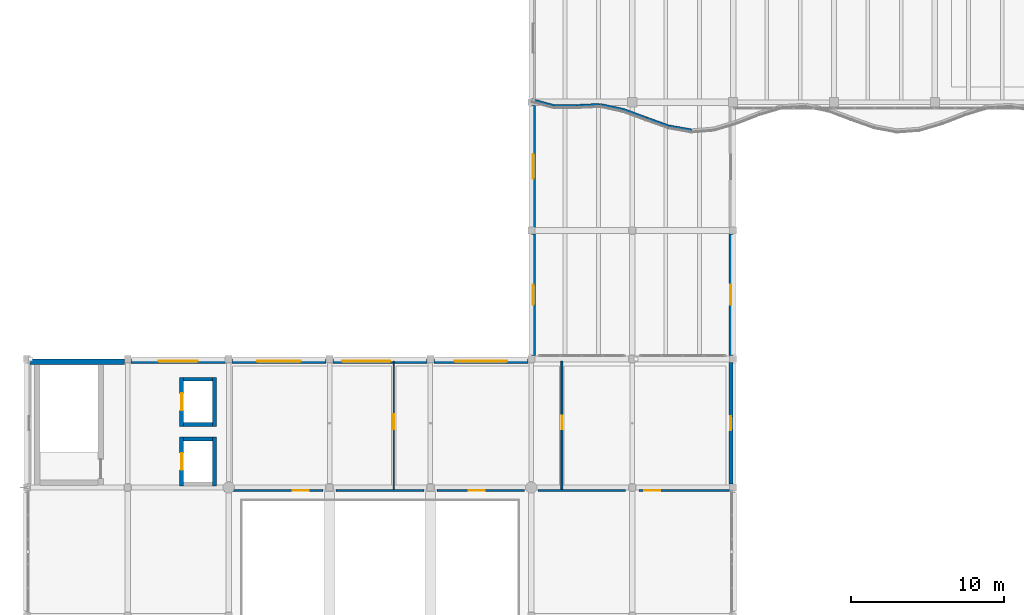
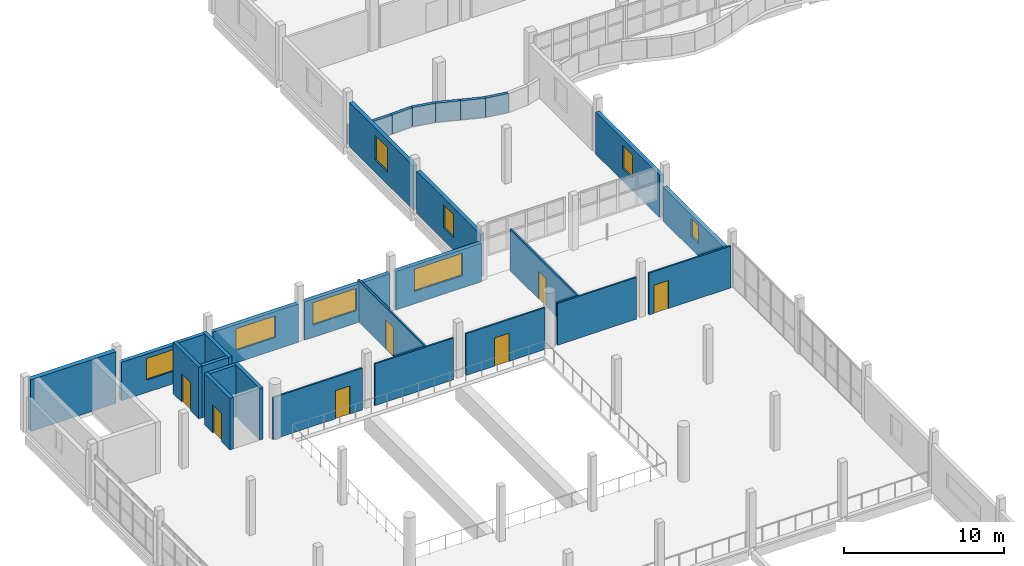
# One storey, part 48 of 74: 30 walls, 8 windows, 7 doors, 15 openings.
"""IFC4 building model written with IfcOpenShell, lengths in metres."""

from ifc_helpers import new_model, si_unit, direction, frame, frame_2d, origin, place, context, subcontext, project, spatial, rectangle, extrude, material, layer, layer_set, type_object, element, fill, save


model = new_model("IFC4")

# Units and contexts
model_context = context("Model", 3, precision=1e-05, world=origin(), true_north=direction((0.0, 1.0)))
body_context = subcontext(model_context, "Body", "Model", "MODEL_VIEW")
ifc_project = project(units=[si_unit("LENGTHUNIT", "METRE"), si_unit("AREAUNIT", "SQUARE_METRE"), si_unit("VOLUMEUNIT", "CUBIC_METRE"), si_unit("PLANEANGLEUNIT", "RADIAN"), si_unit("MASSUNIT", "GRAM", prefix="KILO")], contexts=[model_context])

# Site, building, storey
site_placement = place(None, origin())
site = spatial("IfcSite", under=ifc_project, at=site_placement, CompositionType="ELEMENT")
building_placement = place(site_placement, origin())
building = spatial("IfcBuilding", under=site, at=building_placement, Name="Qaldarim Faculty of Natural and Applied Sciences", CompositionType="ELEMENT")
storey_placement = place(building_placement, frame((0.0, 0.0, 14.39990234375)))
storey = spatial("IfcBuildingStorey", under=building, at=storey_placement, Name="L03", CompositionType="ELEMENT", Elevation=14.39990234375)

# Wall, opening, door
ifc_material_1 = material(Name="Painted gypsum partition board")
ifc_layer_1 = layer(ifc_material_1, 0.1201171875)
ifc_layer_set_1 = layer_set([ifc_layer_1], Name="Painted gypsum partition board")
wall_type_1 = type_object("IfcWallType", Name="AcousticPartition-120", PredefinedType="PARTITIONING", material=ifc_layer_set_1)
wall_1_placement = place(storey_placement, frame((12.89990234375, 75.39990234375, 0.0), z_axis=(0.0, 0.0, 1.0), x_axis=(1.0, 0.0, 0.0)))
wall_1 = element("IfcWall", 1, at=wall_1_placement, inside=storey, type_object=wall_type_1, Name="Interior partition PRT-L03-V2-SEMS-S1", PredefinedType="PARTITIONING", context=body_context, shape_type="SweptSolid", body=[
    extrude(rectangle(XDim=6.4501953125, YDim=0.1201171875, at=frame_2d((3.22509765625, 0.0))), origin(), (0.0, 0.0, 1.0), 3.190185546875),
])
opening_1_placement = place(wall_1_placement, frame((4.5, 0.0, 0.0)))
opening_1 = element("IfcOpeningElement", 2, at=opening_1_placement, cuts=wall_1, Name="Opening ID02", PredefinedType="OPENING", context=body_context, shape_type="SweptSolid", body=[
    extrude(rectangle(XDim=1.050048828125, YDim=2.14990234375, at=frame_2d((0.52490234375, 1.074951171875))), frame((0.0, 0.070068359375, 0.0), z_axis=(0.0, -1.0, 0.0), x_axis=(1.0, 0.0, 0.0)), (0.0, 0.0, 1.0), 0.14013671875),
])
ifc_material_2 = material(Name="Oak hardwood", Category="wood")
door_type_1 = type_object("IfcDoorType", Name="AccessibleRoomDoor-1050x2150", OperationType="NOTDEFINED", PredefinedType="DOOR", material=ifc_material_2)
door_1_placement = place(opening_1_placement, origin())
door_1 = element("IfcDoor", 3, at=door_1_placement, inside=storey, type_object=door_type_1, Name="Interior door D-L03-227", OperationType="SINGLE_SWING_LEFT", OverallHeight=2.14990234375, OverallWidth=1.050048828125, PredefinedType="DOOR", context=body_context, shape_type="SweptSolid", body=[
    extrude(rectangle(XDim=1.050048828125, YDim=2.14990234375, at=frame_2d((0.52490234375, 1.074951171875))), frame((0.0, 0.02490234375, 0.0), z_axis=(0.0, -1.0, 0.0), x_axis=(1.0, 0.0, 0.0)), (0.0, 0.0, 1.0), 0.050048828125),
])
fill(opening_1, door_1)

# Wall
wall_2_placement = place(storey_placement, frame((20.25, 75.39990234375, 0.0), z_axis=(0.0, 0.0, 1.0), x_axis=(1.0, 0.0, 0.0)))
element("IfcWall", 4, at=wall_2_placement, inside=storey, type_object=wall_type_1, Name="Interior partition PRT-L03-V2-SEMS-S2", PredefinedType="PARTITIONING", context=body_context, shape_type="SweptSolid", body=[
    extrude(rectangle(XDim=5.699951171875, YDim=0.1201171875, at=frame_2d((2.85009765625, 0.0))), origin(), (0.0, 0.0, 1.0), 3.190185546875),
])

# Wall, opening, door
wall_3_placement = place(storey_placement, frame((26.85009765625, 75.39990234375, 0.0), z_axis=(0.0, 0.0, 1.0), x_axis=(1.0, 0.0, 0.0)))
wall_3 = element("IfcWall", 5, at=wall_3_placement, inside=storey, type_object=wall_type_1, Name="Interior partition PRT-L03-V2-SEMS-S3", PredefinedType="PARTITIONING", context=body_context, shape_type="SweptSolid", body=[
    extrude(rectangle(XDim=5.699951171875, YDim=0.1201171875, at=frame_2d((2.85009765625, 0.0))), origin(), (0.0, 0.0, 1.0), 3.190185546875),
])
opening_2_placement = place(wall_3_placement, frame((2.050048828125, 0.0, 0.0)))
opening_2 = element("IfcOpeningElement", 6, at=opening_2_placement, cuts=wall_3, Name="Opening ID02", PredefinedType="OPENING", context=body_context, shape_type="SweptSolid", body=[
    extrude(rectangle(XDim=1.050048828125, YDim=2.14990234375, at=frame_2d((0.52490234375, 1.074951171875))), frame((0.0, 0.070068359375, 0.0), z_axis=(0.0, -1.0, 0.0), x_axis=(1.0, 0.0, 0.0)), (0.0, 0.0, 1.0), 0.14013671875),
])
door_2_placement = place(opening_2_placement, origin())
door_2 = element("IfcDoor", 7, at=door_2_placement, inside=storey, type_object=door_type_1, Name="Interior door D-L03-228", OperationType="SINGLE_SWING_RIGHT", OverallHeight=2.14990234375, OverallWidth=1.050048828125, PredefinedType="DOOR", context=body_context, shape_type="SweptSolid", body=[
    extrude(rectangle(XDim=1.050048828125, YDim=2.14990234375, at=frame_2d((0.52490234375, 1.074951171875))), frame((0.0, 0.02490234375, 0.0), z_axis=(0.0, -1.0, 0.0), x_axis=(1.0, 0.0, 0.0)), (0.0, 0.0, 1.0), 0.050048828125),
])
fill(opening_2, door_2)

# Wall
wall_4_placement = place(storey_placement, frame((33.449951171875, 75.39990234375, 0.0), z_axis=(0.0, 0.0, 1.0), x_axis=(1.0, 0.0, 0.0)))
element("IfcWall", 8, at=wall_4_placement, inside=storey, type_object=wall_type_1, Name="Interior partition PRT-L03-V2-SEMS-S4", PredefinedType="PARTITIONING", context=body_context, shape_type="SweptSolid", body=[
    extrude(rectangle(XDim=5.699951171875, YDim=0.1201171875, at=frame_2d((2.85009765625, 0.0))), origin(), (0.0, 0.0, 1.0), 3.190185546875),
])

# Wall, opening, door
wall_5_placement = place(storey_placement, frame((40.050048828125, 75.39990234375, 0.0), z_axis=(0.0, 0.0, 1.0), x_axis=(1.0, 0.0, 0.0)))
wall_5 = element("IfcWall", 9, at=wall_5_placement, inside=storey, type_object=wall_type_1, Name="Interior partition PRT-L03-V2-SEMS-S5", PredefinedType="PARTITIONING", context=body_context, shape_type="SweptSolid", body=[
    extrude(rectangle(XDim=5.89990234375, YDim=0.1201171875, at=frame_2d((2.949951171875, 0.0))), origin(), (0.0, 0.0, 1.0), 3.190185546875),
])
opening_3_placement = place(wall_5_placement, frame((0.35009765625, 0.0, 0.0)))
opening_3 = element("IfcOpeningElement", 10, at=opening_3_placement, cuts=wall_5, Name="Opening ID02", PredefinedType="OPENING", context=body_context, shape_type="SweptSolid", body=[
    extrude(rectangle(XDim=1.050048828125, YDim=2.14990234375, at=frame_2d((0.52490234375, 1.074951171875))), frame((0.0, 0.070068359375, 0.0), z_axis=(0.0, -1.0, 0.0), x_axis=(1.0, 0.0, 0.0)), (0.0, 0.0, 1.0), 0.14013671875),
])
door_3_placement = place(opening_3_placement, origin())
door_3 = element("IfcDoor", 11, at=door_3_placement, inside=storey, type_object=door_type_1, Name="Interior door D-L03-229", OperationType="SINGLE_SWING_LEFT", OverallHeight=2.14990234375, OverallWidth=1.050048828125, PredefinedType="DOOR", context=body_context, shape_type="SweptSolid", body=[
    extrude(rectangle(XDim=1.050048828125, YDim=2.14990234375, at=frame_2d((0.52490234375, 1.074951171875))), frame((0.0, 0.02490234375, 0.0), z_axis=(0.0, -1.0, 0.0), x_axis=(1.0, 0.0, 0.0)), (0.0, 0.0, 1.0), 0.050048828125),
])
fill(opening_3, door_3)

wall_6_placement = place(storey_placement, frame((24.0, 75.39990234375, 0.0), z_axis=(0.0, 0.0, 1.0), x_axis=(0.0, 1.0, 0.0)))
wall_6 = element("IfcWall", 12, at=wall_6_placement, inside=storey, type_object=wall_type_1, Name="Interior partition PRT-L03-V2-SEMDIV", PredefinedType="PARTITIONING", context=body_context, shape_type="SweptSolid", body=[
    extrude(rectangle(XDim=8.460205078125, YDim=0.1201171875, at=frame_2d((4.22998046875, 0.0))), origin(), (0.0, 0.0, 1.0), 3.190185546875),
])
opening_4_placement = place(wall_6_placement, frame((4.0, 0.0, 0.0)))
opening_4 = element("IfcOpeningElement", 13, at=opening_4_placement, cuts=wall_6, Name="Opening ID08", PredefinedType="OPENING", context=body_context, shape_type="SweptSolid", body=[
    extrude(rectangle(XDim=1.0, YDim=2.199951171875, at=frame_2d((0.5, 1.10009765625))), frame((0.0, 0.070068359375, 0.0), z_axis=(0.0, -1.0, 0.0), x_axis=(1.0, 0.0, 0.0)), (0.0, 0.0, 1.0), 0.14013671875),
])
door_type_2 = type_object("IfcDoorType", Name="SeminarRoomDoor-1000x2200", OperationType="NOTDEFINED", PredefinedType="DOOR", material=ifc_material_2)
door_4_placement = place(opening_4_placement, origin())
door_4 = element("IfcDoor", 14, at=door_4_placement, inside=storey, type_object=door_type_2, Name="Interior door D-L03-388", OperationType="SINGLE_SWING_LEFT", OverallHeight=2.199951171875, OverallWidth=1.0, PredefinedType="DOOR", context=body_context, shape_type="SweptSolid", body=[
    extrude(rectangle(XDim=1.0, YDim=2.199951171875, at=frame_2d((0.5, 1.10009765625))), frame((0.0, 0.02490234375, 0.0), z_axis=(0.0, -1.0, 0.0), x_axis=(1.0, 0.0, 0.0)), (0.0, 0.0, 1.0), 0.050048828125),
])
fill(opening_4, door_4)

wall_7_placement = place(storey_placement, frame((35.0, 75.39990234375, 0.0), z_axis=(0.0, 0.0, 1.0), x_axis=(0.0, 1.0, 0.0)))
wall_7 = element("IfcWall", 15, at=wall_7_placement, inside=storey, type_object=wall_type_1, Name="Interior partition PRT-L03-V2-SEMDIV2", PredefinedType="PARTITIONING", context=body_context, shape_type="SweptSolid", body=[
    extrude(rectangle(XDim=8.460205078125, YDim=0.1201171875, at=frame_2d((4.22998046875, 0.0))), origin(), (0.0, 0.0, 1.0), 3.190185546875),
])
opening_5_placement = place(wall_7_placement, frame((4.0, 0.0, 0.0)))
opening_5 = element("IfcOpeningElement", 16, at=opening_5_placement, cuts=wall_7, Name="Opening ID07", PredefinedType="OPENING", context=body_context, shape_type="SweptSolid", body=[
    extrude(rectangle(XDim=0.89990234375, YDim=2.10009765625, at=frame_2d((0.449951171875, 1.050048828125))), frame((0.0, 0.070068359375, 0.0), z_axis=(0.0, -1.0, 0.0), x_axis=(1.0, 0.0, 0.0)), (0.0, 0.0, 1.0), 0.14013671875),
])
door_type_3 = type_object("IfcDoorType", Name="OfficeStudyDoor-900x2100", OperationType="NOTDEFINED", PredefinedType="DOOR", material=ifc_material_2)
door_5_placement = place(opening_5_placement, origin())
door_5 = element("IfcDoor", 17, at=door_5_placement, inside=storey, type_object=door_type_3, Name="Interior door D-L03-389", OperationType="SINGLE_SWING_LEFT", OverallHeight=2.10009765625, OverallWidth=0.89990234375, PredefinedType="DOOR", context=body_context, shape_type="SweptSolid", body=[
    extrude(rectangle(XDim=0.89990234375, YDim=2.10009765625, at=frame_2d((0.449951171875, 1.050048828125))), frame((0.0, 0.02490234375, 0.0), z_axis=(0.0, -1.0, 0.0), x_axis=(1.0, 0.0, 0.0)), (0.0, 0.0, 1.0), 0.050048828125),
])
fill(opening_5, door_5)

# Wall, opening, window
ifc_material_3 = material(Name="Precast concrete C40/50", Category="concrete")
ifc_layer_2 = layer(ifc_material_3, 0.280029296875)
ifc_layer_set_2 = layer_set([ifc_layer_2], Name="Precast concrete C40/50")
wall_type_2 = type_object("IfcWallType", Name="ExteriorSpandrelWall-280", PredefinedType="SOLIDWALL", material=ifc_layer_set_2)
wall_8_placement = place(storey_placement, frame((12.97998046875, 83.860107421875, 0.0), z_axis=(0.0, 0.0, 1.0), x_axis=(-1.0, 0.0, 0.0)))
wall_8 = element("IfcWall", 18, at=wall_8_placement, inside=storey, type_object=wall_type_2, Name="Exterior wall EW02 L03 N X02Y10", PredefinedType="SOLIDWALL", context=body_context, shape_type="SweptSolid", body=[
    extrude(rectangle(XDim=6.159912109375, YDim=0.280029296875, at=frame_2d((3.080078125, 0.0))), origin(), (0.0, 0.0, 1.0), 2.93505859375),
])
opening_6_placement = place(wall_8_placement, frame((1.804931640625, 0.0, 0.949951171875)))
opening_6 = element("IfcOpeningElement", 19, at=opening_6_placement, cuts=wall_8, Name="Opening WN13", PredefinedType="OPENING", context=body_context, shape_type="SweptSolid", body=[
    extrude(rectangle(XDim=2.550048828125, YDim=1.64990234375, at=frame_2d((1.27490234375, 0.824951171875))), frame((0.0, 0.14990234375, 0.0), z_axis=(0.0, -1.0, 0.0), x_axis=(1.0, 0.0, 0.0)), (0.0, 0.0, 1.0), 0.300048828125),
])
ifc_material_4 = material(Name="Insulated low-e double glazing", Category="glass")
window_type_1 = type_object("IfcWindowType", Name="LabWindow-2550x1650", PartitioningType="TRIPLE_PANEL_VERTICAL", PredefinedType="WINDOW", material=ifc_material_4)
window_1_placement = place(opening_6_placement, origin())
window_1 = element("IfcWindow", 20, at=window_1_placement, inside=storey, type_object=window_type_1, Name="Facade window WN13 L03 N X02Y10", OverallHeight=1.64990234375, OverallWidth=2.550048828125, PartitioningType="SINGLE_PANEL", PredefinedType="WINDOW", context=body_context, shape_type="SweptSolid", body=[
    extrude(rectangle(XDim=2.550048828125, YDim=1.64990234375, at=frame_2d((1.27490234375, 0.824951171875))), frame((0.0, 0.030029296875, 0.0), z_axis=(0.0, -1.0, 0.0), x_axis=(1.0, 0.0, 0.0)), (0.0, 0.0, 1.0), 0.06005859375),
])
fill(opening_6, window_1)

wall_9_placement = place(storey_placement, frame((19.580078125, 83.860107421875, 0.0), z_axis=(0.0, 0.0, 1.0), x_axis=(-1.0, 0.0, 0.0)))
wall_9 = element("IfcWall", 21, at=wall_9_placement, inside=storey, type_object=wall_type_2, Name="Exterior wall EW02 L03 N X03Y10", PredefinedType="SOLIDWALL", context=body_context, shape_type="SweptSolid", body=[
    extrude(rectangle(XDim=6.16015625, YDim=0.280029296875, at=frame_2d((3.080078125, 0.0))), origin(), (0.0, 0.0, 1.0), 2.93505859375),
])
opening_7_placement = place(wall_9_placement, frame((1.655029296875, 0.0, 0.949951171875)))
opening_7 = element("IfcOpeningElement", 22, at=opening_7_placement, cuts=wall_9, Name="Opening WN14", PredefinedType="OPENING", context=body_context, shape_type="SweptSolid", body=[
    extrude(rectangle(XDim=2.85009765625, YDim=1.64990234375, at=frame_2d((1.425048828125, 0.824951171875))), frame((0.0, 0.14990234375, 0.0), z_axis=(0.0, -1.0, 0.0), x_axis=(1.0, 0.0, 0.0)), (0.0, 0.0, 1.0), 0.300048828125),
])
window_type_2 = type_object("IfcWindowType", Name="LabWindow-2850x1650", PartitioningType="TRIPLE_PANEL_VERTICAL", PredefinedType="WINDOW", material=ifc_material_4)
window_2_placement = place(opening_7_placement, origin())
window_2 = element("IfcWindow", 23, at=window_2_placement, inside=storey, type_object=window_type_2, Name="Facade window WN14 L03 N X03Y10", OverallHeight=1.64990234375, OverallWidth=2.85009765625, PartitioningType="SINGLE_PANEL", PredefinedType="WINDOW", context=body_context, shape_type="SweptSolid", body=[
    extrude(rectangle(XDim=2.85009765625, YDim=1.64990234375, at=frame_2d((1.425048828125, 0.824951171875))), frame((0.0, 0.030029296875, 0.0), z_axis=(0.0, -1.0, 0.0), x_axis=(1.0, 0.0, 0.0)), (0.0, 0.0, 1.0), 0.06005859375),
])
fill(opening_7, window_2)

wall_10_placement = place(storey_placement, frame((26.179931640625, 83.860107421875, 0.0), z_axis=(0.0, 0.0, 1.0), x_axis=(-1.0, 0.0, 0.0)))
wall_10 = element("IfcWall", 24, at=wall_10_placement, inside=storey, type_object=wall_type_2, Name="Exterior wall EW02 L03 N X04Y10", PredefinedType="SOLIDWALL", context=body_context, shape_type="SweptSolid", body=[
    extrude(rectangle(XDim=6.159912109375, YDim=0.280029296875, at=frame_2d((3.080078125, 0.0))), origin(), (0.0, 0.0, 1.0), 2.93505859375),
])
opening_8_placement = place(wall_10_placement, frame((2.39990234375, 0.0, 0.949951171875)))
opening_8 = element("IfcOpeningElement", 25, at=opening_8_placement, cuts=wall_10, Name="Opening WN15", PredefinedType="OPENING", context=body_context, shape_type="SweptSolid", body=[
    extrude(rectangle(XDim=3.14990234375, YDim=1.699951171875, at=frame_2d((1.574951171875, 0.85009765625))), frame((0.0, 0.14990234375, 0.0), z_axis=(0.0, -1.0, 0.0), x_axis=(1.0, 0.0, 0.0)), (0.0, 0.0, 1.0), 0.300048828125),
])
window_type_3 = type_object("IfcWindowType", Name="LabWindow-3150x1700", PartitioningType="TRIPLE_PANEL_VERTICAL", PredefinedType="WINDOW", material=ifc_material_4)
window_3_placement = place(opening_8_placement, origin())
window_3 = element("IfcWindow", 26, at=window_3_placement, inside=storey, type_object=window_type_3, Name="Facade window WN15 L03 N X04Y10", OverallHeight=1.699951171875, OverallWidth=3.14990234375, PartitioningType="SINGLE_PANEL", PredefinedType="WINDOW", context=body_context, shape_type="SweptSolid", body=[
    extrude(rectangle(XDim=3.14990234375, YDim=1.699951171875, at=frame_2d((1.574951171875, 0.85009765625))), frame((0.0, 0.030029296875, 0.0), z_axis=(0.0, -1.0, 0.0), x_axis=(1.0, 0.0, 0.0)), (0.0, 0.0, 1.0), 0.06005859375),
])
fill(opening_8, window_3)

wall_11_placement = place(storey_placement, frame((32.780029296875, 83.860107421875, 0.0), z_axis=(0.0, 0.0, 1.0), x_axis=(-1.0, 0.0, 0.0)))
wall_11 = element("IfcWall", 27, at=wall_11_placement, inside=storey, type_object=wall_type_2, Name="Exterior wall EW02 L03 N X05Y10", PredefinedType="SOLIDWALL", context=body_context, shape_type="SweptSolid", body=[
    extrude(rectangle(XDim=6.159912109375, YDim=0.280029296875, at=frame_2d((3.080078125, 0.0))), origin(), (0.0, 0.0, 1.0), 2.93505859375),
])
opening_9_placement = place(wall_11_placement, frame((1.35498046875, 0.0, 0.949951171875)))
opening_9 = element("IfcOpeningElement", 28, at=opening_9_placement, cuts=wall_11, Name="Opening WN16", PredefinedType="OPENING", context=body_context, shape_type="SweptSolid", body=[
    extrude(rectangle(XDim=3.449951171875, YDim=1.699951171875, at=frame_2d((1.72509765625, 0.85009765625))), frame((0.0, 0.14990234375, 0.0), z_axis=(0.0, -1.0, 0.0), x_axis=(1.0, 0.0, 0.0)), (0.0, 0.0, 1.0), 0.300048828125),
])
window_type_4 = type_object("IfcWindowType", Name="LabWindow-3450x1700", PartitioningType="TRIPLE_PANEL_VERTICAL", PredefinedType="WINDOW", material=ifc_material_4)
window_4_placement = place(opening_9_placement, origin())
window_4 = element("IfcWindow", 29, at=window_4_placement, inside=storey, type_object=window_type_4, Name="Facade window WN16 L03 N X05Y10", OverallHeight=1.699951171875, OverallWidth=3.449951171875, PartitioningType="SINGLE_PANEL", PredefinedType="WINDOW", context=body_context, shape_type="SweptSolid", body=[
    extrude(rectangle(XDim=3.449951171875, YDim=1.699951171875, at=frame_2d((1.72509765625, 0.85009765625))), frame((0.0, 0.030029296875, 0.0), z_axis=(0.0, -1.0, 0.0), x_axis=(1.0, 0.0, 0.0)), (0.0, 0.0, 1.0), 0.06005859375),
])
fill(opening_9, window_4)

wall_12_placement = place(storey_placement, frame((33.139892578125, 92.179931640625, 0.0), z_axis=(0.0, 0.0, 1.0), x_axis=(0.0, -1.0, 0.0)))
wall_12 = element("IfcWall", 30, at=wall_12_placement, inside=storey, type_object=wall_type_2, Name="Exterior wall EW02 L03 W X06Y11", PredefinedType="SOLIDWALL", context=body_context, shape_type="SweptSolid", body=[
    extrude(rectangle(XDim=7.9599609375, YDim=0.280029296875, at=frame_2d((3.97998046875, 0.0))), origin(), (0.0, 0.0, 1.0), 3.22509765625),
])
opening_10_placement = place(wall_12_placement, frame((3.330078125, 0.0, 0.949951171875)))
opening_10 = element("IfcOpeningElement", 31, at=opening_10_placement, cuts=wall_12, Name="Opening WN18", PredefinedType="OPENING", context=body_context, shape_type="SweptSolid", body=[
    extrude(rectangle(XDim=1.300048828125, YDim=1.75, at=frame_2d((0.64990234375, 0.875))), frame((0.0, 0.14990234375, 0.0), z_axis=(0.0, -1.0, 0.0), x_axis=(1.0, 0.0, 0.0)), (0.0, 0.0, 1.0), 0.300048828125),
])
window_type_5 = type_object("IfcWindowType", Name="StudyWindow-1300x1750", PartitioningType="SINGLE_PANEL", PredefinedType="WINDOW", material=ifc_material_4)
window_5_placement = place(opening_10_placement, origin())
window_5 = element("IfcWindow", 32, at=window_5_placement, inside=storey, type_object=window_type_5, Name="Facade window WN18 L03 W X06Y11", OverallHeight=1.75, OverallWidth=1.300048828125, PartitioningType="SINGLE_PANEL", PredefinedType="WINDOW", context=body_context, shape_type="SweptSolid", body=[
    extrude(rectangle(XDim=1.300048828125, YDim=1.75, at=frame_2d((0.64990234375, 0.875))), frame((0.0, 0.030029296875, 0.0), z_axis=(0.0, -1.0, 0.0), x_axis=(1.0, 0.0, 0.0)), (0.0, 0.0, 1.0), 0.06005859375),
])
fill(opening_10, window_5)

wall_13_placement = place(storey_placement, frame((33.139892578125, 100.580078125, 0.0), z_axis=(0.0, 0.0, 1.0), x_axis=(0.0, -1.0, 0.0)))
wall_13 = element("IfcWall", 33, at=wall_13_placement, inside=storey, type_object=wall_type_2, Name="Exterior wall EW02 L03 W X06Y12", PredefinedType="SOLIDWALL", context=body_context, shape_type="SweptSolid", body=[
    extrude(rectangle(XDim=7.9599609375, YDim=0.280029296875, at=frame_2d((3.97998046875, 0.0))), origin(), (0.0, 0.0, 1.0), 3.375),
])
opening_11_placement = place(wall_13_placement, frame((3.179931640625, 0.0, 0.949951171875)))
opening_11 = element("IfcOpeningElement", 34, at=opening_11_placement, cuts=wall_13, Name="Opening WN19", PredefinedType="OPENING", context=body_context, shape_type="SweptSolid", body=[
    extrude(rectangle(XDim=1.60009765625, YDim=1.85009765625, at=frame_2d((0.800048828125, 0.925048828125))), frame((0.0, 0.14990234375, 0.0), z_axis=(0.0, -1.0, 0.0), x_axis=(1.0, 0.0, 0.0)), (0.0, 0.0, 1.0), 0.300048828125),
])
window_type_6 = type_object("IfcWindowType", Name="StudyWindow-1600x1850", PartitioningType="DOUBLE_PANEL_VERTICAL", PredefinedType="WINDOW", material=ifc_material_4)
window_6_placement = place(opening_11_placement, origin())
window_6 = element("IfcWindow", 35, at=window_6_placement, inside=storey, type_object=window_type_6, Name="Facade window WN19 L03 W X06Y12", OverallHeight=1.85009765625, OverallWidth=1.60009765625, PartitioningType="SINGLE_PANEL", PredefinedType="WINDOW", context=body_context, shape_type="SweptSolid", body=[
    extrude(rectangle(XDim=1.60009765625, YDim=1.85009765625, at=frame_2d((0.800048828125, 0.925048828125))), frame((0.0, 0.030029296875, 0.0), z_axis=(0.0, -1.0, 0.0), x_axis=(1.0, 0.0, 0.0)), (0.0, 0.0, 1.0), 0.06005859375),
])
fill(opening_11, window_6)

wall_14_placement = place(storey_placement, frame((46.06005859375, 75.820068359375, 0.0), z_axis=(0.0, 0.0, 1.0), x_axis=(0.0, 1.0, 0.0)))
wall_14 = element("IfcWall", 36, at=wall_14_placement, inside=storey, type_object=wall_type_2, Name="Exterior wall EW02 L03 E X07Y10", PredefinedType="SOLIDWALL", context=body_context, shape_type="SweptSolid", body=[
    extrude(rectangle(XDim=7.9599609375, YDim=0.280029296875, at=frame_2d((3.97998046875, 0.0))), origin(), (0.0, 0.0, 1.0), 2.60498046875),
])
opening_12_placement = place(wall_14_placement, frame((3.530029296875, 0.0, 0.949951171875)))
opening_12 = element("IfcOpeningElement", 37, at=opening_12_placement, cuts=wall_14, Name="Opening WN05", PredefinedType="OPENING", context=body_context, shape_type="SweptSolid", body=[
    extrude(rectangle(XDim=0.89990234375, YDim=1.39990234375, at=frame_2d((0.449951171875, 0.699951171875))), frame((0.0, 0.14990234375, 0.0), z_axis=(0.0, -1.0, 0.0), x_axis=(1.0, 0.0, 0.0)), (0.0, 0.0, 1.0), 0.300048828125),
])
window_type_7 = type_object("IfcWindowType", Name="Window-900x1400", PartitioningType="SINGLE_PANEL", PredefinedType="WINDOW", material=ifc_material_4)
window_7_placement = place(opening_12_placement, origin())
window_7 = element("IfcWindow", 38, at=window_7_placement, inside=storey, type_object=window_type_7, Name="Facade window WN17 L03 E X07Y10", OverallHeight=1.39990234375, OverallWidth=0.89990234375, PartitioningType="SINGLE_PANEL", PredefinedType="WINDOW", context=body_context, shape_type="SweptSolid", body=[
    extrude(rectangle(XDim=0.89990234375, YDim=1.39990234375, at=frame_2d((0.449951171875, 0.699951171875))), frame((0.0, 0.030029296875, 0.0), z_axis=(0.0, -1.0, 0.0), x_axis=(1.0, 0.0, 0.0)), (0.0, 0.0, 1.0), 0.06005859375),
])
fill(opening_12, window_7)

wall_15_placement = place(storey_placement, frame((46.06005859375, 84.219970703125, 0.0), z_axis=(0.0, 0.0, 1.0), x_axis=(0.0, 1.0, 0.0)))
wall_15 = element("IfcWall", 39, at=wall_15_placement, inside=storey, type_object=wall_type_2, Name="Exterior wall EW02 L03 E X07Y11", PredefinedType="SOLIDWALL", context=body_context, shape_type="SweptSolid", body=[
    extrude(rectangle(XDim=7.9599609375, YDim=0.280029296875, at=frame_2d((3.97998046875, 0.0))), origin(), (0.0, 0.0, 1.0), 3.22509765625),
])
opening_13_placement = place(wall_15_placement, frame((3.330078125, 0.0, 0.949951171875)))
opening_13 = element("IfcOpeningElement", 40, at=opening_13_placement, cuts=wall_15, Name="Opening WN18", PredefinedType="OPENING", context=body_context, shape_type="SweptSolid", body=[
    extrude(rectangle(XDim=1.300048828125, YDim=1.75, at=frame_2d((0.64990234375, 0.875))), frame((0.0, 0.14990234375, 0.0), z_axis=(0.0, -1.0, 0.0), x_axis=(1.0, 0.0, 0.0)), (0.0, 0.0, 1.0), 0.300048828125),
])
window_8_placement = place(opening_13_placement, origin())
window_8 = element("IfcWindow", 41, at=window_8_placement, inside=storey, type_object=window_type_5, Name="Facade window WN18 L03 E X07Y11", OverallHeight=1.75, OverallWidth=1.300048828125, PartitioningType="SINGLE_PANEL", PredefinedType="WINDOW", context=body_context, shape_type="SweptSolid", body=[
    extrude(rectangle(XDim=1.300048828125, YDim=1.75, at=frame_2d((0.64990234375, 0.875))), frame((0.0, 0.030029296875, 0.0), z_axis=(0.0, -1.0, 0.0), x_axis=(1.0, 0.0, 0.0)), (0.0, 0.0, 1.0), 0.06005859375),
])
fill(opening_13, window_8)

# Wall
ifc_material_5 = material(Name="Concrete C50/60", Category="concrete")
ifc_layer_3 = layer(ifc_material_5, 0.340087890625)
ifc_layer_set_3 = layer_set([ifc_layer_3], Name="Concrete C50/60")
wall_type_3 = type_object("IfcWallType", Name="ExteriorStairShearWall-340", PredefinedType="SHEAR", material=ifc_layer_set_3)
wall_16_placement = place(storey_placement, frame((6.3798828125, 83.830078125, 0.0), z_axis=(0.0, 0.0, 1.0), x_axis=(-1.0, 0.0, 0.0)))
element("IfcWall", 42, at=wall_16_placement, inside=storey, type_object=wall_type_3, Name="Exterior wall EW05 L03 N X01Y10", PredefinedType="SHEAR", context=body_context, shape_type="SweptSolid", body=[
    extrude(rectangle(XDim=6.159912109375, YDim=0.340087890625, at=frame_2d((3.080078125, 0.0))), origin(), (0.0, 0.0, 1.0), 3.940185546875),
])

# Wall, opening, door
ifc_material_6 = material(Name="Concrete C40/50", Category="concrete")
ifc_layer_4 = layer(ifc_material_6, 0.25)
ifc_layer_set_4 = layer_set([ifc_layer_4], Name="Concrete C40/50")
wall_type_4 = type_object("IfcWallType", Name="LiftShaftWall-250", PredefinedType="SHEAR", material=ifc_layer_set_4)
wall_17_placement = place(storey_placement, frame((10.125, 75.699951171875, 0.0), z_axis=(0.0, 0.0, 1.0), x_axis=(0.0, 1.0, 0.0)))
wall_17 = element("IfcWall", 43, at=wall_17_placement, inside=storey, type_object=wall_type_4, Name="Lift LF-D1 front shaft wall L03", PredefinedType="SHEAR", context=body_context, shape_type="SweptSolid", body=[
    extrude(rectangle(XDim=3.199951171875, YDim=0.25, at=frame_2d((1.60009765625, 0.0))), origin(), (0.0, 0.0, 1.0), 3.940185546875),
])
opening_14_placement = place(wall_17_placement, frame((1.050048828125, 0.0, 0.0)))
opening_14 = element("IfcOpeningElement", 44, at=opening_14_placement, cuts=wall_17, Name="Opening LD01", PredefinedType="OPENING", context=body_context, shape_type="SweptSolid", body=[
    extrude(rectangle(XDim=1.10009765625, YDim=2.14990234375, at=frame_2d((0.550048828125, 1.074951171875))), frame((0.0, 0.135009765625, 0.0), z_axis=(0.0, -1.0, 0.0), x_axis=(1.0, 0.0, 0.0)), (0.0, 0.0, 1.0), 0.27001953125),
])
ifc_material_7 = material(Name="Architectural stainless steel 316", Category="steel")
door_type_4 = type_object("IfcDoorType", Name="LiftLandingSlidingDoor-1100x2150", OperationType="NOTDEFINED", PredefinedType="DOOR", material=ifc_material_7)
door_6_placement = place(opening_14_placement, origin())
door_6 = element("IfcDoor", 45, at=door_6_placement, inside=storey, type_object=door_type_4, Name="Lift landing sliding door LF-D1 D-L03-666", OperationType="SLIDING_TO_LEFT", OverallHeight=2.14990234375, OverallWidth=1.10009765625, PredefinedType="DOOR", context=body_context, shape_type="SweptSolid", body=[
    extrude(rectangle(XDim=1.10009765625, YDim=2.14990234375, at=frame_2d((0.550048828125, 1.074951171875))), frame((0.0, 0.02490234375, 0.0), z_axis=(0.0, -1.0, 0.0), x_axis=(1.0, 0.0, 0.0)), (0.0, 0.0, 1.0), 0.050048828125),
])
fill(opening_14, door_6)

# Walls
wall_18_placement = place(storey_placement, frame((12.27490234375, 75.699951171875, 0.0), z_axis=(0.0, 0.0, 1.0), x_axis=(0.0, 1.0, 0.0)))
element("IfcWall", 46, at=wall_18_placement, inside=storey, type_object=wall_type_4, Name="Lift LF-D1 rear shaft wall L03", PredefinedType="SHEAR", context=body_context, shape_type="SweptSolid", body=[
    extrude(rectangle(XDim=3.199951171875, YDim=0.25, at=frame_2d((1.60009765625, 0.0))), origin(), (0.0, 0.0, 1.0), 3.940185546875),
])
wall_19_placement = place(storey_placement, frame((10.25, 78.77490234375, 0.0), z_axis=(0.0, 0.0, 1.0), x_axis=(1.0, 0.0, 0.0)))
element("IfcWall", 47, at=wall_19_placement, inside=storey, type_object=wall_type_4, Name="Lift LF-D1 north shaft wall L03", PredefinedType="SHEAR", context=body_context, shape_type="SweptSolid", body=[
    extrude(rectangle(XDim=1.89990234375, YDim=0.25, at=frame_2d((0.949951171875, 0.0))), origin(), (0.0, 0.0, 1.0), 3.940185546875),
])

# Wall, opening, door
wall_20_placement = place(storey_placement, frame((10.125, 79.60009765625, 0.0), z_axis=(0.0, 0.0, 1.0), x_axis=(0.0, 1.0, 0.0)))
wall_20 = element("IfcWall", 48, at=wall_20_placement, inside=storey, type_object=wall_type_4, Name="Lift LF-D2 front shaft wall L03", PredefinedType="SHEAR", context=body_context, shape_type="SweptSolid", body=[
    extrude(rectangle(XDim=3.199951171875, YDim=0.25, at=frame_2d((1.60009765625, 0.0))), origin(), (0.0, 0.0, 1.0), 3.940185546875),
])
opening_15_placement = place(wall_20_placement, frame((1.050048828125, 0.0, 0.0)))
opening_15 = element("IfcOpeningElement", 49, at=opening_15_placement, cuts=wall_20, Name="Opening LD01", PredefinedType="OPENING", context=body_context, shape_type="SweptSolid", body=[
    extrude(rectangle(XDim=1.10009765625, YDim=2.14990234375, at=frame_2d((0.550048828125, 1.074951171875))), frame((0.0, 0.135009765625, 0.0), z_axis=(0.0, -1.0, 0.0), x_axis=(1.0, 0.0, 0.0)), (0.0, 0.0, 1.0), 0.27001953125),
])
door_7_placement = place(opening_15_placement, origin())
door_7 = element("IfcDoor", 50, at=door_7_placement, inside=storey, type_object=door_type_4, Name="Lift landing sliding door LF-D2 D-L03-671", OperationType="SLIDING_TO_LEFT", OverallHeight=2.14990234375, OverallWidth=1.10009765625, PredefinedType="DOOR", context=body_context, shape_type="SweptSolid", body=[
    extrude(rectangle(XDim=1.10009765625, YDim=2.14990234375, at=frame_2d((0.550048828125, 1.074951171875))), frame((0.0, 0.02490234375, 0.0), z_axis=(0.0, -1.0, 0.0), x_axis=(1.0, 0.0, 0.0)), (0.0, 0.0, 1.0), 0.050048828125),
])
fill(opening_15, door_7)

# Walls
wall_21_placement = place(storey_placement, frame((12.27490234375, 79.60009765625, 0.0), z_axis=(0.0, 0.0, 1.0), x_axis=(0.0, 1.0, 0.0)))
element("IfcWall", 51, at=wall_21_placement, inside=storey, type_object=wall_type_4, Name="Lift LF-D2 rear shaft wall L03", PredefinedType="SHEAR", context=body_context, shape_type="SweptSolid", body=[
    extrude(rectangle(XDim=3.199951171875, YDim=0.25, at=frame_2d((1.60009765625, 0.0))), origin(), (0.0, 0.0, 1.0), 3.940185546875),
])
for number, where, z_axis, x_axis, name in (
    (52, (10.25, 79.72509765625, 0.0), (0.0, 0.0, 1.0), (1.0, 0.0, 0.0), "Lift LF-D2 south shaft wall L03"),
    (53, (10.25, 82.675048828125, 0.0), (0.0, 0.0, 1.0), (1.0, 0.0, 0.0), "Lift LF-D2 north shaft wall L03"),
):
    element("IfcWall", number, at=place(storey_placement, frame(where, z_axis=z_axis, x_axis=x_axis)), inside=storey, type_object=wall_type_4, Name=name, PredefinedType="SHEAR", context=body_context, shape_type="SweptSolid", body=[
        extrude(rectangle(XDim=1.89990234375, YDim=0.25, at=frame_2d((0.949951171875, 0.0))), origin(), (0.0, 0.0, 1.0), 3.940185546875),
    ])
ifc_material_8 = material(Name="White architectural precast concrete C40/50", Category="concrete")
ifc_layer_5 = layer(ifc_material_8, 0.219970703125)
ifc_layer_set_5 = layer_set([ifc_layer_5], Name="White architectural precast concrete C40/50")
wall_type_5 = type_object("IfcWallType", Name="WhitePrecastWaveBand-220", PredefinedType="SOLIDWALL", material=ifc_layer_set_5)
wall_22_placement = place(storey_placement, frame((33.034912109375, 100.93505859375, 0.0), z_axis=(0.0, 0.0, 1.0), x_axis=(0.965209799475, -0.26147665861, 0.0)))
element("IfcWall", 54, at=wall_22_placement, inside=storey, type_object=wall_type_5, Name="White precast wave spandrel band L03 chord 01", PredefinedType="SOLIDWALL", context=body_context, shape_type="SweptSolid", body=[
    extrude(rectangle(XDim=1.549072265625, YDim=0.219970703125, at=frame_2d((0.7744140625, 0.0))), origin(), (0.0, 0.0, 1.0), 1.4501953125),
])
wall_23_placement = place(storey_placement, frame((34.4951171875, 100.534912109375, 0.0), z_axis=(0.0, 0.0, 1.0), x_axis=(0.999948738481, 0.010125236287, 0.0)))
element("IfcWall", 55, at=wall_23_placement, inside=storey, type_object=wall_type_5, Name="White precast wave spandrel band L03 chord 02", PredefinedType="SOLIDWALL", context=body_context, shape_type="SweptSolid", body=[
    extrude(rectangle(XDim=1.494873046875, YDim=0.219970703125, at=frame_2d((0.74755859375, 0.0))), origin(), (0.0, 0.0, 1.0), 1.4501953125),
])
wall_24_placement = place(storey_placement, frame((35.985107421875, 100.550048828125, 0.0), z_axis=(0.0, 0.0, 1.0), x_axis=(0.998903293592, 0.046821042832, 0.0)))
element("IfcWall", 56, at=wall_24_placement, inside=storey, type_object=wall_type_5, Name="White precast wave spandrel band L03 chord 03", PredefinedType="SOLIDWALL", context=body_context, shape_type="SweptSolid", body=[
    extrude(rectangle(XDim=1.49658203125, YDim=0.219970703125, at=frame_2d((0.748291015625, 0.0))), origin(), (0.0, 0.0, 1.0), 1.4501953125),
])
wall_25_placement = place(storey_placement, frame((37.514892578125, 100.614990234375, 0.0), z_axis=(0.0, 0.0, 1.0), x_axis=(0.978382774429, -0.206802192203, 0.0)))
element("IfcWall", 57, at=wall_25_placement, inside=storey, type_object=wall_type_5, Name="White precast wave spandrel band L03 chord 04", PredefinedType="SOLIDWALL", context=body_context, shape_type="SweptSolid", body=[
    extrude(rectangle(XDim=1.52294921875, YDim=0.219970703125, at=frame_2d((0.761474609375, 0.0))), origin(), (0.0, 0.0, 1.0), 1.4501953125),
])
wall_26_placement = place(storey_placement, frame((39.02490234375, 100.294921875, 0.0), z_axis=(0.0, 0.0, 1.0), x_axis=(0.937506622081, -0.347967431743, 0.0)))
element("IfcWall", 58, at=wall_26_placement, inside=storey, type_object=wall_type_5, Name="White precast wave spandrel band L03 chord 05", PredefinedType="SOLIDWALL", context=body_context, shape_type="SweptSolid", body=[
    extrude(rectangle(XDim=1.5947265625, YDim=0.219970703125, at=frame_2d((0.79736328125, 0.0))), origin(), (0.0, 0.0, 1.0), 1.4501953125),
])
wall_27_placement = place(storey_placement, frame((40.514892578125, 99.739990234375, 0.0), z_axis=(0.0, 0.0, 1.0), x_axis=(0.941553927573, -0.336862288588, 0.0)))
element("IfcWall", 59, at=wall_27_placement, inside=storey, type_object=wall_type_5, Name="White precast wave spandrel band L03 chord 06", PredefinedType="SOLIDWALL", context=body_context, shape_type="SweptSolid", body=[
    extrude(rectangle(XDim=1.587890625, YDim=0.219970703125, at=frame_2d((0.7939453125, 0.0))), origin(), (0.0, 0.0, 1.0), 1.4501953125),
])
wall_28_placement = place(storey_placement, frame((41.989990234375, 99.215087890625, 0.0), z_axis=(0.0, 0.0, 1.0), x_axis=(0.984637536595, -0.174610771512, 0.0)))
element("IfcWall", 60, at=wall_28_placement, inside=storey, type_object=wall_type_5, Name="White precast wave spandrel band L03 chord 07", PredefinedType="SOLIDWALL", context=body_context, shape_type="SweptSolid", body=[
    extrude(rectangle(XDim=1.5185546875, YDim=0.219970703125, at=frame_2d((0.75927734375, 0.0))), origin(), (0.0, 0.0, 1.0), 1.4501953125),
])

save(model, "model.ifc")
